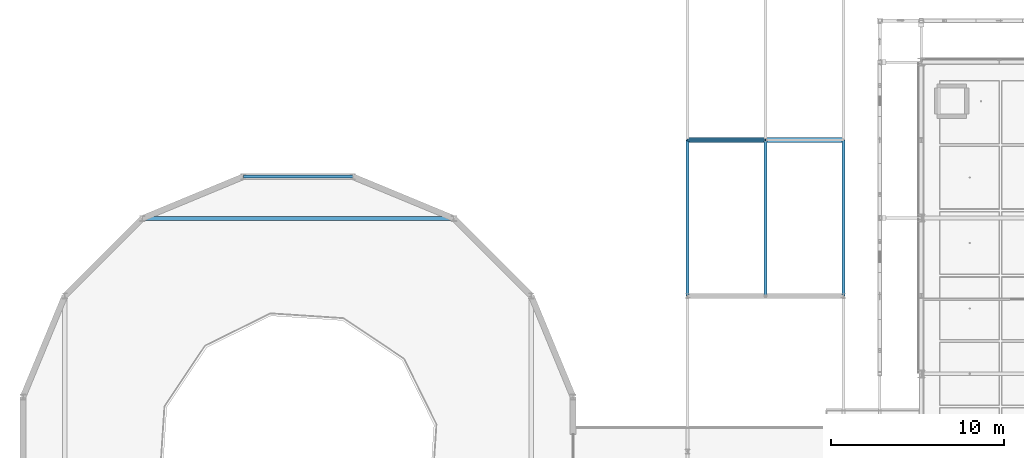
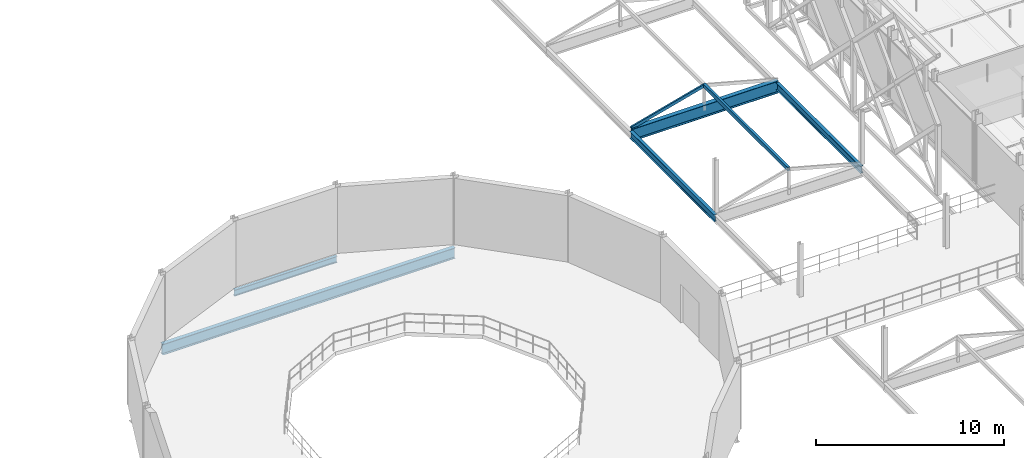
# One storey, part 25 of 140: 6 beams, 1 member.
"""IFC4 building model written with IfcOpenShell, lengths in metres."""

import ifcopenshell
import ifcopenshell.guid

model = None  # the IFC model being written
_history = None  # IfcOwnerHistory: only IFC2X3 demands one
_inside = {}  # id of a spatial element -> (the spatial element, [elements in it])
_under = {}  # id of a project, library or spatial element -> (it, [spatial elements below it])
_declared = {}  # id of a project -> (the project, [libraries it declares])
_typed = {}  # id of a type object -> (the type object, [elements of that type])
_made_of = {}  # id of a material, layer set ... -> (it, [elements and type objects made of it])


def new_model(schema):
    """Start an empty IFC model of exactly this schema.

    Asked for "IFC4X3", IfcOpenShell would pick the latest addendum, in which some entities
    have other attributes; the version numbers below select the first issue.
    IFC2X3 requires an IfcOwnerHistory on every rooted entity: one is made here for all.
    """
    global model, _history
    if schema == "IFC4X3":
        model = ifcopenshell.file(schema_version=(4, 3, 0, 0))
    else:
        model = ifcopenshell.file(schema=schema)
    _inside.clear()
    _under.clear()
    _declared.clear()
    _typed.clear()
    _made_of.clear()
    _history = None
    if model.schema == "IFC2X3":
        org = make("IfcOrganization", Name="unknown")
        user = make(
            "IfcPersonAndOrganization",
            ThePerson=make("IfcPerson", FamilyName="unknown"),
            TheOrganization=org,
        )
        app = make(
            "IfcApplication",
            ApplicationDeveloper=org,
            Version="unknown",
            ApplicationFullName="unknown",
            ApplicationIdentifier="unknown",
        )
        _history = make(
            "IfcOwnerHistory",
            OwningUser=user,
            OwningApplication=app,
            ChangeAction="ADDED",
            CreationDate=0,
        )
    return model


def make(cls, **values):
    """One entity of the class cls with the attributes given. An attribute that is None is left unset."""
    return model.create_entity(
        cls, **{name: value for name, value in values.items() if value is not None}
    )


def rooted(cls, **values):
    """An entity with a GlobalId (a new one), such as an element, a storey or a relation."""
    return make(cls, GlobalId=ifcopenshell.guid.new(), OwnerHistory=_history, **values)


def si_unit(unit_type, name, prefix=None):
    """IfcSIUnit, for example si_unit("LENGTHUNIT", "METRE", prefix="MILLI")."""
    return make("IfcSIUnit", UnitType=unit_type, Prefix=prefix, Name=name)


def assignment(units):
    """IfcUnitAssignment: the units of a project."""
    return None if units is None else make("IfcUnitAssignment", Units=units)


def point(xyz):
    """IfcCartesianPoint."""
    return None if xyz is None else make("IfcCartesianPoint", Coordinates=xyz)


def direction(xyz):
    """IfcDirection."""
    return None if xyz is None else make("IfcDirection", DirectionRatios=xyz)


def frame(location, z_axis=None, x_axis=None):
    """IfcAxis2Placement3D, a coordinate frame: its origin and axes. An axis left out is left unset."""
    return make(
        "IfcAxis2Placement3D",
        Location=point(location),
        Axis=direction(z_axis),
        RefDirection=direction(x_axis),
    )


def frame_2d(location, x_axis=None):
    """IfcAxis2Placement2D, a coordinate frame in the plane: its origin and x axis."""
    return make(
        "IfcAxis2Placement2D", Location=point(location), RefDirection=direction(x_axis)
    )


def origin():
    """The frame at (0, 0, 0) with its axes left unset."""
    return frame((0.0, 0.0, 0.0))


def origin_2d():
    """The frame at (0, 0) in the plane with its x axis left unset."""
    return frame_2d((0.0, 0.0))


def place(relative_to, where):
    """IfcLocalPlacement: puts the frame where relative to a parent placement (None: the world)."""
    return make(
        "IfcLocalPlacement", PlacementRelTo=relative_to, RelativePlacement=where
    )


def context(
    kind, dimensions, precision=None, world=None, true_north=None, identifier=None
):
    """IfcGeometricRepresentationContext, for example the 3D "Model" context."""
    return make(
        "IfcGeometricRepresentationContext",
        ContextIdentifier=identifier,
        ContextType=kind,
        CoordinateSpaceDimension=dimensions,
        Precision=precision,
        WorldCoordinateSystem=world,
        TrueNorth=true_north,
    )


def subcontext(parent, identifier, kind, view, scale=None):
    """IfcGeometricRepresentationSubContext, for example "Body" below "Model"."""
    return make(
        "IfcGeometricRepresentationSubContext",
        ContextIdentifier=identifier,
        ContextType=kind,
        ParentContext=parent,
        TargetScale=scale,
        TargetView=view,
    )


def project(units=None, contexts=None):
    """IfcProject with its units and contexts."""
    return rooted(
        "IfcProject",
        Name="project",
        RepresentationContexts=contexts,
        UnitsInContext=assignment(units),
    )


def spatial(cls, under=None, at=None, **own):
    """A site, building, storey or space (cls), placed at a placement, below another one or the project."""
    s = rooted(cls, ObjectPlacement=at, **own)
    if under is not None:
        _under.setdefault(under.id(), (under, []))[1].append(s)
    return s


def profile(cls, at=None, kind="AREA", **sizes):
    """A parametric profile (cls). Its sizes go by their IFC names, for example OverallWidth=200.0."""
    return make(cls, ProfileType=kind, Position=at, **sizes)


def hollow_rectangle(**sizes):
    """IfcRectangleHollowProfileDef."""
    return profile("IfcRectangleHollowProfileDef", **sizes)


def i_section(**sizes):
    """IfcIShapeProfileDef."""
    return profile("IfcIShapeProfileDef", **sizes)


def extrude(swept, where, along, depth):
    """IfcExtrudedAreaSolid: the profile swept, set in the frame where, extruded along a direction by depth."""
    return make(
        "IfcExtrudedAreaSolid",
        SweptArea=swept,
        Position=where,
        ExtrudedDirection=direction(along),
        Depth=depth,
    )


def shape(context_of_items, identifier, shape_type, items):
    """IfcShapeRepresentation: the items that make up one representation, for example the "Body"."""
    return make(
        "IfcShapeRepresentation",
        ContextOfItems=context_of_items,
        RepresentationIdentifier=identifier,
        RepresentationType=shape_type,
        Items=items,
    )


def material(Name=None, Category=None):
    """IfcMaterial."""
    return make("IfcMaterial", Name=Name, Category=Category)


def material_profile(
    of_material, cross_section, Name=None, Category=None, Priority=None
):
    """IfcMaterialProfile: a cross section and its material."""
    return make(
        "IfcMaterialProfile",
        Name=Name,
        Material=of_material,
        Profile=cross_section,
        Priority=Priority,
        Category=Category,
    )


def profile_set(profiles, Name=None, composite=None):
    """IfcMaterialProfileSet."""
    return make(
        "IfcMaterialProfileSet",
        Name=Name,
        MaterialProfiles=profiles,
        CompositeProfile=composite,
    )


def made_of(thing, what):
    """Note that an element or type object is made of a material, layer set ...; save() writes the relation."""
    if what is not None:
        _made_of.setdefault(what.id(), (what, []))[1].append(thing)
    return thing


def type_object(cls, material=None, **own):
    """A type object (cls), such as IfcWallType, which elements share."""
    return made_of(rooted(cls, **own), material)


def element(
    cls,
    number,
    at=None,
    inside=None,
    cuts=None,
    type_object=None,
    material=None,
    context=None,
    identifier="Body",
    shape_type=None,
    held_by="IfcProductDefinitionShape",
    body=None,
    shapes=None,
    **own,
):
    """One element of the class cls, such as IfcWall. Its Tag is "e" and its number.

    at: its placement. inside: the storey or other place that contains it. cuts: it is an
    opening in that element (IfcRelVoidsElement). A single representation is given by context,
    identifier, shape_type and body (its items); several are given by shapes. held_by: the class
    of the entity that holds the representations. save() writes the other relations.
    """
    e = rooted(cls, Tag="e%d" % number, ObjectPlacement=at, **own)
    if body is not None:
        shapes = [shape(context, identifier, shape_type, body)]
    if shapes is not None:
        e.Representation = make(held_by, Representations=shapes)
    if inside is not None:
        _inside.setdefault(inside.id(), (inside, []))[1].append(e)
    if cuts is not None:
        rooted(
            "IfcRelVoidsElement", RelatingBuildingElement=cuts, RelatedOpeningElement=e
        )
    if type_object is not None:
        _typed.setdefault(type_object.id(), (type_object, []))[1].append(e)
    return made_of(e, material)


def aggregate(whole, parts):
    """IfcRelAggregates: a whole, such as a stair, and the parts it consists of."""
    return rooted("IfcRelAggregates", RelatingObject=whole, RelatedObjects=parts)


def save(model, path):
    """Write the relations noted so far, then the file.

    IfcRelAggregates (storeys below a building ...), IfcRelContainedInSpatialStructure (elements
    in a storey), IfcRelDefinesByType, IfcRelAssociatesMaterial and IfcRelDeclares: one each for
    every whole, place, type object, material and project.
    """
    for whole, parts in _under.values():
        aggregate(whole, parts)
    for where, things in _inside.values():
        rooted(
            "IfcRelContainedInSpatialStructure",
            RelatedElements=things,
            RelatingStructure=where,
        )
    for kind, things in _typed.values():
        rooted("IfcRelDefinesByType", RelatedObjects=things, RelatingType=kind)
    for what, things in _made_of.values():
        rooted("IfcRelAssociatesMaterial", RelatedObjects=things, RelatingMaterial=what)
    for by, libraries in _declared.values():
        rooted("IfcRelDeclares", RelatingContext=by, RelatedDefinitions=libraries)
    model.write(path)


model = new_model("IFC4")

# Units and contexts
model_context = context("Model", 3, precision=1e-05, world=origin(), true_north=direction((0.0, 1.0)))
body_context = subcontext(model_context, "Body", "Model", "MODEL_VIEW")
ifc_project = project(units=[si_unit("LENGTHUNIT", "METRE"), si_unit("AREAUNIT", "SQUARE_METRE"), si_unit("VOLUMEUNIT", "CUBIC_METRE"), si_unit("PLANEANGLEUNIT", "RADIAN"), si_unit("MASSUNIT", "GRAM", prefix="KILO"), si_unit("THERMODYNAMICTEMPERATUREUNIT", "KELVIN"), si_unit("POWERUNIT", "WATT")], contexts=[model_context])

# Site, building, storey
site_placement = place(None, origin())
site = spatial("IfcSite", under=ifc_project, at=site_placement, CompositionType="ELEMENT")
building_placement = place(site_placement, origin())
building = spatial("IfcBuilding", under=site, at=building_placement, Name="Tallowbark Science Centre", CompositionType="ELEMENT")
storey_placement = place(building_placement, frame((0.0, 0.0, 9.89990234375)))
storey = spatial("IfcBuildingStorey", under=building, at=storey_placement, Name="L02", CompositionType="ELEMENT", Elevation=9.89990234375)

# Beams
ifc_material_1 = material(Name="Structural Steel Grade 300PLUS (300 MPa)", Category="steel")
ifc_material_profile_1 = material_profile(ifc_material_1, i_section(OverallWidth=0.177734375, OverallDepth=0.406494140625, WebThickness=0.0078125, FlangeThickness=0.0126953125, FilletRadius=0.011474609375, at=origin_2d()), Name="410UB59.7")
ifc_profile_set_1 = profile_set([ifc_material_profile_1], Name="Structural Steel Grade 300PLUS (300 MPa)")
beam_type_1 = type_object("IfcBeamType", Name="BM-UB410", PredefinedType="BEAM", material=ifc_profile_set_1)
beam_1_placement = place(storey_placement, frame((19.339599609375, 33.888671875, -0.447998046875), z_axis=(1.0, 0.0, 0.0), x_axis=(0.0, 1.0, 0.0)))
element("IfcBeam", 1, at=beam_1_placement, inside=storey, type_object=beam_type_1, Name="Primary Girder GRDX-L02-193-257-339", PredefinedType="BEAM", context=body_context, shape_type="SweptSolid", body=[
    extrude(i_section(OverallWidth=0.177734375, OverallDepth=0.406494140625, WebThickness=0.0078125, FlangeThickness=0.0126953125, FilletRadius=0.011474609375, at=origin_2d()), origin(), (0.0, 0.0, 1.0), 6.32080078125),
])
ifc_material_profile_2 = material_profile(ifc_material_1, i_section(OverallWidth=0.25, OverallDepth=0.699951171875, WebThickness=0.010009765625, FlangeThickness=0.02001953125, FilletRadius=0.013916015625, at=origin_2d()), Name="700WB130")
ifc_profile_set_2 = profile_set([ifc_material_profile_2], Name="Structural Steel Grade 300PLUS (300 MPa)")
beam_type_2 = type_object("IfcBeamType", Name="BM-WB700", PredefinedType="BEAM", material=ifc_profile_set_2)
beam_2_placement = place(storey_placement, frame((13.499755859375, 31.4697265625, -0.594970703125), z_axis=(1.0, 0.0, 0.0), x_axis=(0.0, 1.0, 0.0)))
element("IfcBeam", 2, at=beam_2_placement, inside=storey, type_object=beam_type_2, Name="Primary Girder GRDX-L02-135-315-315", PredefinedType="BEAM", context=body_context, shape_type="SweptSolid", body=[
    extrude(i_section(OverallWidth=0.25, OverallDepth=0.699951171875, WebThickness=0.010009765625, FlangeThickness=0.02001953125, FilletRadius=0.013916015625, at=origin_2d()), origin(), (0.0, 0.0, 1.0), 18.00048828125),
])
ifc_material_profile_3 = material_profile(ifc_material_1, i_section(OverallWidth=0.27490234375, OverallDepth=0.7919921875, WebThickness=0.011962890625, FlangeThickness=0.02001953125, FilletRadius=0.013916015625, at=origin_2d()), Name="800WB146")
ifc_profile_set_3 = profile_set([ifc_material_profile_3], Name="Structural Steel Grade 300PLUS (300 MPa)")
beam_type_3 = type_object("IfcBeamType", Name="BM-WB800", PredefinedType="BEAM", material=ifc_profile_set_3)
beam_3_placement = place(storey_placement, frame((45.0, 36.0, -0.39990234375), z_axis=(1.0, 0.0, 0.0), x_axis=(0.0, 1.0, 0.0)))
element("IfcBeam", 3, at=beam_3_placement, inside=storey, type_object=beam_type_3, Name="Passage Skylight Tie Beam 5", PredefinedType="BEAM", context=body_context, shape_type="SweptSolid", body=[
    extrude(i_section(OverallWidth=0.27490234375, OverallDepth=0.7919921875, WebThickness=0.011962890625, FlangeThickness=0.02001953125, FilletRadius=0.013916015625, at=origin_2d()), origin(), (0.0, 0.0, 1.0), 9.0),
])

# Member
ifc_material_2 = material(Name="Structural Steel Grade C350L0 (350 MPa)", Category="steel")
ifc_material_profile_4 = material_profile(ifc_material_2, hollow_rectangle(XDim=0.10009765625, YDim=0.199951171875, WallThickness=0.006103515625, at=origin_2d()), Name="200x100x6.0RHS")
ifc_profile_set_4 = profile_set([ifc_material_profile_4], Name="Structural Steel Grade C350L0 (350 MPa)")
member_type = type_object("IfcMemberType", Name="RFT-200RHS", PredefinedType="RAFTER", material=ifc_profile_set_4)
member_placement = place(storey_placement, frame((45.0, 36.0, 0.0), z_axis=(0.965923723713, 0.0, 0.258826891896), x_axis=(0.0, 1.0, 0.0)))
element("IfcMember", 4, at=member_placement, inside=storey, type_object=member_type, Name="Passage Skylight West Rafter 5", PredefinedType="RAFTER", context=body_context, shape_type="SweptSolid", body=[
    extrude(hollow_rectangle(XDim=0.10009765625, YDim=0.199951171875, WallThickness=0.006103515625, at=origin_2d()), origin(), (0.0, 0.0, 1.0), 4.65869140625),
])

# Beams
ifc_material_3 = material(Name="White Architectural Painted Steel Grade C350L0 (350 MPa)", Category="steel")
ifc_material_profile_5 = material_profile(ifc_material_3, hollow_rectangle(XDim=0.14990234375, YDim=0.25, WallThickness=0.009033203125, at=origin_2d()), Name="250x150x9.0RHS")
ifc_profile_set_5 = profile_set([ifc_material_profile_5], Name="White Architectural Painted Steel Grade C350L0 (350 MPa)")
beam_type_4 = type_object("IfcBeamType", Name="SPN-RHS250", PredefinedType="SPANDREL", material=ifc_profile_set_5)
beam_4_placement = place(storey_placement, frame((49.5, 27.0, 1.205810546875), z_axis=(0.0, 1.0, 0.0), x_axis=(-1.0, 0.0, 0.0)))
element("IfcBeam", 5, at=beam_4_placement, inside=storey, type_object=beam_type_4, Name="Passage Skylight Ridge Beam 4", PredefinedType="SPANDREL", context=body_context, shape_type="SweptSolid", body=[
    extrude(hollow_rectangle(XDim=0.14990234375, YDim=0.25, WallThickness=0.009033203125, at=origin_2d()), origin(), (0.0, 0.0, 1.0), 9.0),
])
ifc_material_profile_6 = material_profile(ifc_material_1, i_section(OverallWidth=0.18994140625, OverallDepth=0.453857421875, WebThickness=0.008544921875, FlangeThickness=0.0126953125, FilletRadius=0.011474609375, at=origin_2d()), Name="460UB67.1")
ifc_profile_set_6 = profile_set([ifc_material_profile_6], Name="Structural Steel Grade 300PLUS (300 MPa)")
beam_type_5 = type_object("IfcBeamType", Name="SPN-UB460", PredefinedType="SPANDREL", material=ifc_profile_set_6)
for number, where, z_axis, x_axis, name in (
    (6, (45.0, 27.0, -0.40673828125), (0.0, 1.0, 0.0), (-1.0, 0.0, 0.0), "Primary Girder GRDY-L02-450-270-360"),
    (7, (54.0, 27.0, -0.40673828125), (0.0, 1.0, 0.0), (-1.0, 0.0, 0.0), "Primary Girder GRDY-L02-540-270-360"),
):
    element("IfcBeam", number, at=place(storey_placement, frame(where, z_axis=z_axis, x_axis=x_axis)), inside=storey, type_object=beam_type_5, Name=name, PredefinedType="SPANDREL", context=body_context, shape_type="SweptSolid", body=[
        extrude(i_section(OverallWidth=0.18994140625, OverallDepth=0.453857421875, WebThickness=0.008544921875, FlangeThickness=0.0126953125, FilletRadius=0.011474609375, at=origin_2d()), origin(), (0.0, 0.0, 1.0), 9.0),
    ])

save(model, "model.ifc")
